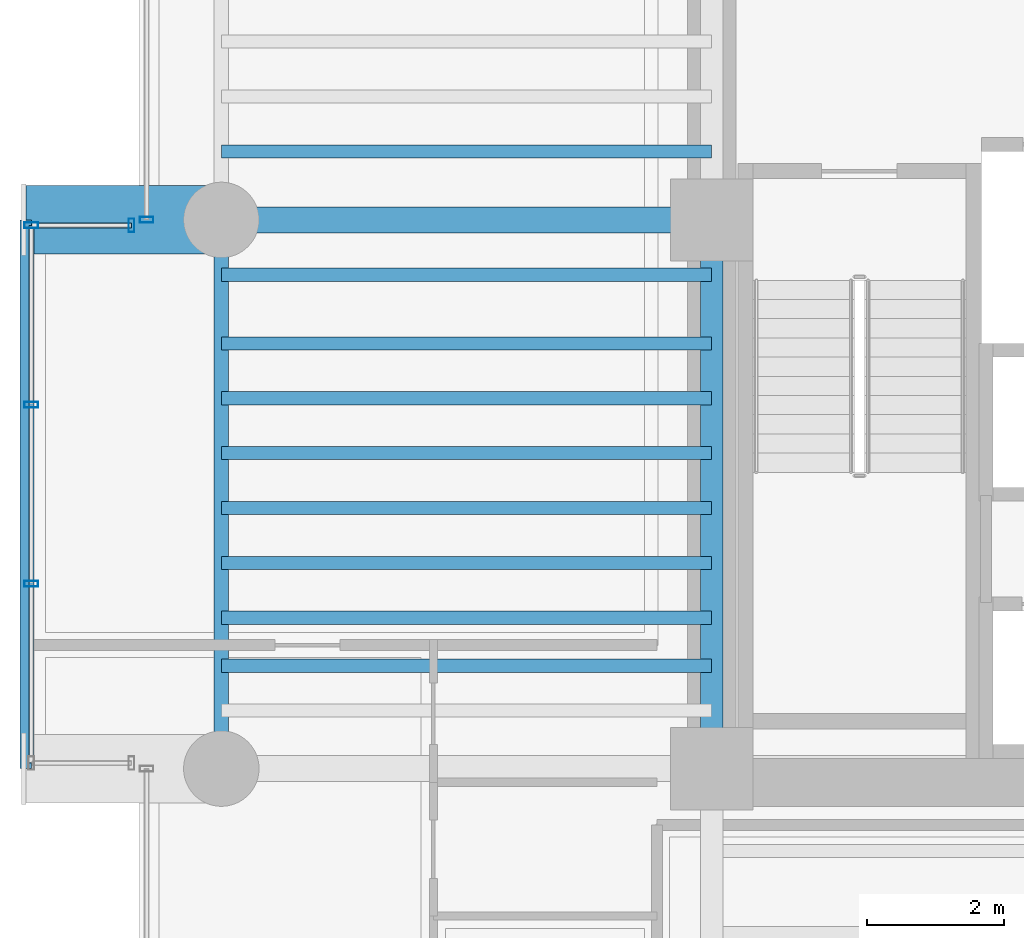
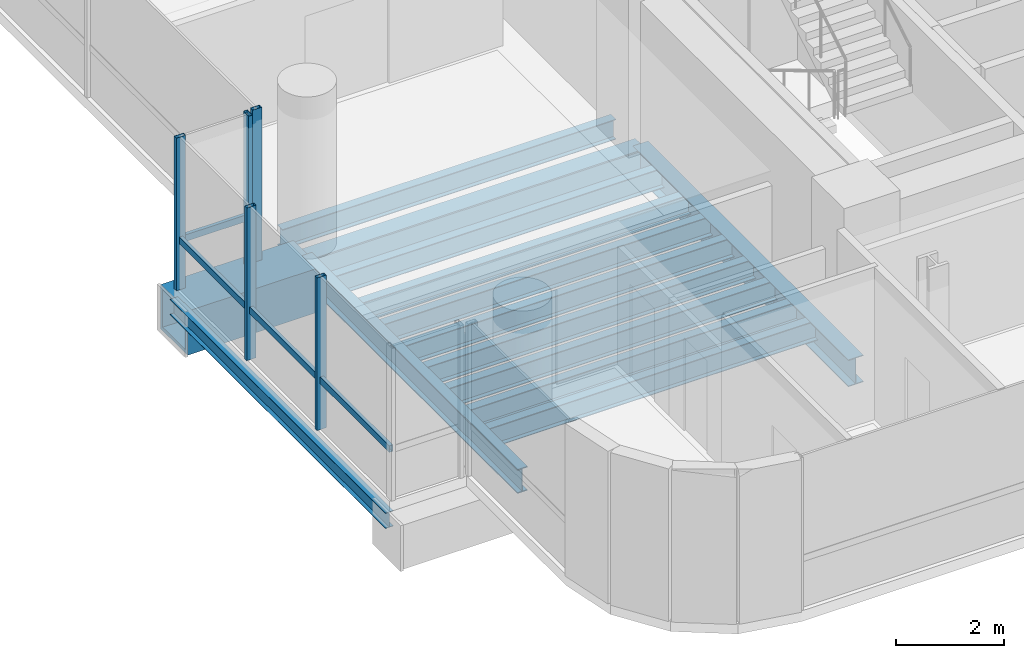
# One storey, part 4 of 37: 14 beams, 7 members, 3 elements without a shape of their own.
"""IFC4 building model written with IfcOpenShell, lengths in metres."""

from ifc_helpers import new_model, si_unit, direction, frame, origin, origin_2d, place, context, subcontext, project, spatial, hollow_rectangle, i_section, extrude, source, transform, mapped, material, material_profile, profile_set, type_object, element, aggregate, save


model = new_model("IFC4")

# Units and contexts
model_context = context("Model", 3, precision=1e-05, world=origin(), true_north=direction((0.0, 1.0)))
body_context = subcontext(model_context, "Body", "Model", "MODEL_VIEW")
ifc_project = project(units=[si_unit("LENGTHUNIT", "METRE"), si_unit("AREAUNIT", "SQUARE_METRE"), si_unit("VOLUMEUNIT", "CUBIC_METRE"), si_unit("PLANEANGLEUNIT", "RADIAN"), si_unit("MASSUNIT", "GRAM", prefix="KILO")], contexts=[model_context])

# Site, building, storey
site_placement = place(None, origin())
site = spatial("IfcSite", under=ifc_project, at=site_placement, CompositionType="ELEMENT")
building_placement = place(site_placement, origin())
building = spatial("IfcBuilding", under=site, at=building_placement, Name="Valdorenza Pilgrim Sanctuary Tower", CompositionType="ELEMENT")
storey_placement = place(building_placement, frame((0.0, 0.0, 127.89990234375)))
storey = spatial("IfcBuildingStorey", under=building, at=storey_placement, Name="L32", CompositionType="ELEMENT", Elevation=127.89990234375)

# Beams
ifc_material_1 = material(Name="Steel ASTM A992 Grade 50", Category="steel")
ifc_material_profile_1 = material_profile(ifc_material_1, i_section(OverallWidth=0.214111328125, OverallDepth=0.549072265625, WebThickness=0.0146484375, FlangeThickness=0.023681640625, at=origin_2d()), Name="W21X93")
ifc_profile_set_1 = profile_set([ifc_material_profile_1], Name="Steel ASTM A992 Grade 50")
beam_type_1 = type_object("IfcBeamType", Name="STR-BM-SPN-W21A", PredefinedType="SPANDREL", material=ifc_profile_set_1)
shared_shape_1 = source(origin(), body_context, "Body", "SweptSolid", [
    extrude(i_section(OverallWidth=0.214111328125, OverallDepth=0.549072265625, WebThickness=0.0146484375, FlangeThickness=0.023681640625, at=origin_2d()), origin(), (0.0, 0.0, 1.0), 8.0),
])
beam_1_placement = place(storey_placement, frame((-29.800048828125, -10.60009765625, -0.514404296875), z_axis=(0.0, 1.0, 0.0), x_axis=(-1.0, 0.0, 0.0)))
element("IfcBeam", 1, at=beam_1_placement, inside=storey, type_object=beam_type_1, Name="L32 Spandrel Beam WA-W-S1M0", PredefinedType="SPANDREL", context=body_context, shape_type="MappedRepresentation", body=[
    mapped(shared_shape_1, transform((0.0, 0.0, 0.0), x_axis=(1.0, 0.0, 0.0), y_axis=(0.0, 1.0, 0.0), z_axis=(0.0, 0.0, 1.0), scale=1.0)),
])
ifc_material_profile_2 = material_profile(ifc_material_1, i_section(OverallWidth=0.323974609375, OverallDepth=0.611083984375, WebThickness=0.0126953125, FlangeThickness=0.01904296875, at=origin_2d()), Name="W24X104")
ifc_profile_set_2 = profile_set([ifc_material_profile_2], Name="Steel ASTM A992 Grade 50")
beam_type_2 = type_object("IfcBeamType", Name="STR-BM-GRD-W24B", PredefinedType="BEAM", material=ifc_profile_set_2)
shared_shape_2 = source(origin(), body_context, "Body", "SweptSolid", [
    extrude(i_section(OverallWidth=0.323974609375, OverallDepth=0.611083984375, WebThickness=0.0126953125, FlangeThickness=0.01904296875, at=origin_2d()), origin(), (0.0, 0.0, 1.0), 8.0),
])
beam_2_placement = place(storey_placement, frame((-22.64990234375, -10.60009765625, -0.54541015625), z_axis=(0.0, 1.0, 0.0), x_axis=(-1.0, 0.0, 0.0)))
element("IfcBeam", 2, at=beam_2_placement, inside=storey, type_object=beam_type_2, Name="L32 Core Tie Girder CA-W-S1M0", PredefinedType="BEAM", context=body_context, shape_type="MappedRepresentation", body=[
    mapped(shared_shape_2, transform((0.0, 0.0, 0.0), x_axis=(1.0, 0.0, 0.0), y_axis=(0.0, 1.0, 0.0), z_axis=(0.0, 0.0, 1.0), scale=1.0)),
])
ifc_material_profile_3 = material_profile(ifc_material_1, i_section(OverallWidth=0.1708984375, OverallDepth=0.35107421875, WebThickness=0.0068359375, FlangeThickness=0.009765625, at=origin_2d()), Name="W14X30")
ifc_profile_set_3 = profile_set([ifc_material_profile_3], Name="Steel ASTM A992 Grade 50")
beam_type_3 = type_object("IfcBeamType", Name="STR-BM-BOX-W14", PredefinedType="BEAM", material=ifc_profile_set_3)
shared_shape_3 = source(origin(), body_context, "Body", "SweptSolid", [
    extrude(i_section(OverallWidth=0.1708984375, OverallDepth=0.35107421875, WebThickness=0.0068359375, FlangeThickness=0.009765625, at=origin_2d()), origin(), (0.0, 0.0, 1.0), 8.0),
])
beam_3_placement = place(storey_placement, frame((-32.64990234375, -10.60009765625, -0.415283203125), z_axis=(0.0, 1.0, 0.0), x_axis=(-1.0, 0.0, 0.0)))
element("IfcBeam", 3, at=beam_3_placement, inside=storey, type_object=beam_type_3, Name="L32 Glass Box Edge Beam BOX-WA-L32-F", PredefinedType="BEAM", context=body_context, shape_type="MappedRepresentation", body=[
    mapped(shared_shape_3, transform((0.0, 0.0, 0.0), x_axis=(1.0, 0.0, 0.0), y_axis=(0.0, 1.0, 0.0), z_axis=(0.0, 0.0, 1.0), scale=1.0)),
])
ifc_material_profile_4 = material_profile(ifc_material_1, i_section(OverallWidth=0.382080078125, OverallDepth=0.779052734375, WebThickness=0.01806640625, FlangeThickness=0.030029296875, at=origin_2d()), Name="W30X191")
ifc_profile_set_4 = profile_set([ifc_material_profile_4], Name="Steel ASTM A992 Grade 50")
beam_type_4 = type_object("IfcBeamType", Name="STR-BM-GRD-W30", PredefinedType="BEAM", material=ifc_profile_set_4)
shared_shape_4 = source(origin(), body_context, "Body", "SweptSolid", [
    extrude(i_section(OverallWidth=0.382080078125, OverallDepth=0.779052734375, WebThickness=0.01806640625, FlangeThickness=0.030029296875, at=origin_2d()), origin(), (0.0, 0.0, 1.0), 7.150146484375),
])
beam_4_placement = place(storey_placement, frame((-29.800048828125, -2.60009765625, -0.62939453125), z_axis=(1.0, 0.0, 0.0), x_axis=(0.0, 1.0, 0.0)))
element("IfcBeam", 4, at=beam_4_placement, inside=storey, type_object=beam_type_4, Name="L32 Floor Girder WA-XW-M0", PredefinedType="BEAM", context=body_context, shape_type="MappedRepresentation", body=[
    mapped(shared_shape_4, transform((0.0, 0.0, 0.0), x_axis=(1.0, 0.0, 0.0), y_axis=(0.0, 1.0, 0.0), z_axis=(0.0, 0.0, 1.0), scale=1.0)),
])
ifc_material_profile_5 = material_profile(ifc_material_1, i_section(OverallWidth=0.19091796875, OverallDepth=0.45703125, WebThickness=0.009033203125, FlangeThickness=0.014404296875, at=origin_2d()), Name="W18X50")
ifc_profile_set_5 = profile_set([ifc_material_profile_5], Name="Steel ASTM A992 Grade 50")
beam_type_5 = type_object("IfcBeamType", Name="STR-BM-JST-W18B", PredefinedType="JOIST", material=ifc_profile_set_5)
shared_shape_5 = source(origin(), body_context, "Body", "SweptSolid", [
    extrude(i_section(OverallWidth=0.19091796875, OverallDepth=0.45703125, WebThickness=0.009033203125, FlangeThickness=0.014404296875, at=origin_2d()), origin(), (0.0, 0.0, 1.0), 7.150146484375),
])
for number, where, z_axis, x_axis, name in (
    (5, (-29.800048828125, -9.10009765625, -0.468505859375), (1.0, 0.0, 0.0), (0.0, 1.0, 0.0), "L32 Composite Floor Joist JST-WA-2"),
    (6, (-29.800048828125, -8.39990234375, -0.468505859375), (1.0, 0.0, 0.0), (0.0, 1.0, 0.0), "L32 Composite Floor Joist JST-WA-3"),
    (7, (-29.800048828125, -7.60009765625, -0.468505859375), (1.0, 0.0, 0.0), (0.0, 1.0, 0.0), "L32 Composite Floor Joist JST-WA-4"),
    (8, (-29.800048828125, -6.800048828125, -0.468505859375), (1.0, 0.0, 0.0), (0.0, 1.0, 0.0), "L32 Composite Floor Joist JST-WA-5"),
    (9, (-29.800048828125, -6.0, -0.468505859375), (1.0, 0.0, 0.0), (0.0, 1.0, 0.0), "L32 Composite Floor Joist JST-WA-6"),
    (10, (-29.800048828125, -5.199951171875, -0.468505859375), (1.0, 0.0, 0.0), (0.0, 1.0, 0.0), "L32 Composite Floor Joist JST-WA-7"),
    (11, (-29.800048828125, -4.39990234375, -0.468505859375), (1.0, 0.0, 0.0), (0.0, 1.0, 0.0), "L32 Composite Floor Joist JST-WA-8"),
    (12, (-29.800048828125, -3.39990234375, -0.468505859375), (1.0, 0.0, 0.0), (0.0, 1.0, 0.0), "L32 Composite Floor Joist JST-WA-9"),
    (13, (-29.800048828125, -1.60009765625, -0.468505859375), (1.0, 0.0, 0.0), (0.0, 1.0, 0.0), "L32 Composite Floor Joist JST-WA-10"),
):
    element("IfcBeam", number, at=place(storey_placement, frame(where, z_axis=z_axis, x_axis=x_axis)), inside=storey, type_object=beam_type_5, Name=name, PredefinedType="JOIST", context=body_context, shape_type="MappedRepresentation", body=[
        mapped(shared_shape_5, transform((0.0, 0.0, 0.0), x_axis=(1.0, 0.0, 0.0), y_axis=(0.0, 1.0, 0.0), z_axis=(0.0, 0.0, 1.0), scale=1.0)),
    ])
ifc_material_2 = material(Name="Steel ASTM A572 Grade 42", Category="steel")
ifc_material_profile_6 = material_profile(ifc_material_2, hollow_rectangle(XDim=1.0, YDim=1.0, WallThickness=0.080078125, at=origin_2d()), Name="BOX 1000x1000x80")
ifc_profile_set_6 = profile_set([ifc_material_profile_6], Name="Steel ASTM A572 Grade 42")
beam_type_6 = type_object("IfcBeamType", Name="STR-BM-PROW-CANT", PredefinedType="BEAM", material=ifc_profile_set_6)
shared_shape_6 = source(origin(), body_context, "Body", "SweptSolid", [
    extrude(hollow_rectangle(XDim=1.0, YDim=1.0, WallThickness=0.080078125, at=origin_2d()), origin(), (0.0, 0.0, 1.0), 2.849853515625),
])
beam_5_placement = place(storey_placement, frame((-29.800048828125, -2.60009765625, -0.739990234375), z_axis=(-1.0, 0.0, 0.0), x_axis=(0.0, -1.0, 0.0)))
element("IfcBeam", 14, at=beam_5_placement, inside=storey, type_object=beam_type_6, Name="L32 Glass Box Cantilever Beam BOX-WA-L32-CT-N", PredefinedType="BEAM", context=body_context, shape_type="MappedRepresentation", body=[
    mapped(shared_shape_6, transform((0.0, 0.0, 0.0), x_axis=(1.0, 0.0, 0.0), y_axis=(0.0, 1.0, 0.0), z_axis=(0.0, 0.0, 1.0), scale=1.0)),
])

# Curtain wall, member
ifc_material_3 = material(Name="Curtain-wall IGU glazing", Category="glass")
curtain_wall_type = type_object("IfcCurtainWallType", Name="CW-SYS-02", PredefinedType="NOTDEFINED", material=ifc_material_3)
curtain_wall_1_placement = place(storey_placement, origin())
curtain_wall_1 = element("IfcCurtainWall", 15, at=curtain_wall_1_placement, inside=storey, type_object=curtain_wall_type, Name="L32 Curtain Wall CW-L32-BOX-WA-L32-N", PredefinedType="NOTDEFINED")
ifc_material_4 = material(Name="Anodised aluminium AW-6060", Category="aluminium")
ifc_material_profile_7 = material_profile(ifc_material_4, hollow_rectangle(XDim=0.074951171875, YDim=0.14990234375, WallThickness=0.00390625, at=origin_2d()), Name="ALU-T 150x75x4")
ifc_profile_set_7 = profile_set([ifc_material_profile_7], Name="Anodised aluminium AW-6060")
member_type_1 = type_object("IfcMemberType", Name="CW-TRN-02", PredefinedType="USERDEFINED", material=ifc_profile_set_7)
shared_shape_7 = source(origin(), body_context, "Body", "SweptSolid", [
    extrude(hollow_rectangle(XDim=0.074951171875, YDim=0.14990234375, WallThickness=0.00390625, at=origin_2d()), origin(), (0.0, 0.0, 1.0), 1.4599609375),
])
member_1_placement = place(storey_placement, frame((-32.570068359375, -2.679931640625, 1.1201171875), z_axis=(1.0, 0.0, 0.0), x_axis=(0.0, 1.0, 0.0)))
member_1 = element("IfcMember", 16, at=member_1_placement, type_object=member_type_1, Name="CW-L32-BOX-WA-L32-N Transom 1", ObjectType="TRANSOM", PredefinedType="USERDEFINED", context=body_context, shape_type="MappedRepresentation", body=[
    mapped(shared_shape_7, transform((0.0, 0.0, 0.0), x_axis=(1.0, 0.0, 0.0), y_axis=(0.0, 1.0, 0.0), z_axis=(0.0, 0.0, 1.0), scale=1.0)),
])

curtain_wall_2_placement = place(storey_placement, origin())
curtain_wall_2 = element("IfcCurtainWall", 17, at=curtain_wall_2_placement, inside=storey, type_object=curtain_wall_type, Name="L32 Curtain Wall CW-L32-BOX-WA-L32-F", PredefinedType="NOTDEFINED")
shared_shape_8 = source(origin(), body_context, "Body", "SweptSolid", [
    extrude(hollow_rectangle(XDim=0.074951171875, YDim=0.14990234375, WallThickness=0.00390625, at=origin_2d()), origin(), (0.0, 0.0, 1.0), 7.840087890625),
])
member_2_placement = place(storey_placement, frame((-32.570068359375, -10.52001953125, 1.1201171875), z_axis=(0.0, 1.0, 0.0), x_axis=(-1.0, 0.0, 0.0)))
member_2 = element("IfcMember", 18, at=member_2_placement, type_object=member_type_1, Name="CW-L32-BOX-WA-L32-F Transom 1", ObjectType="TRANSOM", PredefinedType="USERDEFINED", context=body_context, shape_type="MappedRepresentation", body=[
    mapped(shared_shape_8, transform((0.0, 0.0, 0.0), x_axis=(1.0, 0.0, 0.0), y_axis=(0.0, 1.0, 0.0), z_axis=(0.0, 0.0, 1.0), scale=1.0)),
])

curtain_wall_3_placement = place(storey_placement, origin())
curtain_wall_3 = element("IfcCurtainWall", 19, at=curtain_wall_3_placement, inside=storey, type_object=curtain_wall_type, Name="L32 Curtain Wall CW-L32-1-1S2", PredefinedType="NOTDEFINED")
ifc_material_profile_8 = material_profile(ifc_material_4, hollow_rectangle(XDim=0.0849609375, YDim=0.199951171875, WallThickness=0.0048828125, at=origin_2d()), Name="ALU-M 200x85x5")
ifc_profile_set_8 = profile_set([ifc_material_profile_8], Name="Anodised aluminium AW-6060")
member_type_2 = type_object("IfcMemberType", Name="CW-MUL-02", PredefinedType="MULLION", material=ifc_profile_set_8)
shared_shape_9 = source(origin(), body_context, "Body", "SweptSolid", [
    extrude(hollow_rectangle(XDim=0.0849609375, YDim=0.199951171875, WallThickness=0.0048828125, at=origin_2d()), origin(), (0.0, 0.0, 1.0), 3.460205078125),
])
member_3_placement = place(storey_placement, frame((-30.889892578125, -2.60009765625, 0.0), z_axis=(0.0, 0.0, 1.0), x_axis=(0.0, 1.0, 0.0)))
member_3 = element("IfcMember", 20, at=member_3_placement, type_object=member_type_2, Name="CW-L32-1-1S2 Mullion 1", PredefinedType="MULLION", context=body_context, shape_type="MappedRepresentation", body=[
    mapped(shared_shape_9, transform((0.0, 0.0, 0.0), x_axis=(1.0, 0.0, 0.0), y_axis=(0.0, 1.0, 0.0), z_axis=(0.0, 0.0, 1.0), scale=1.0)),
])
aggregate(curtain_wall_3, [member_3])

# Member
member_4_placement = place(storey_placement, frame((-32.570068359375, -7.90673828125, 0.0), z_axis=(0.0, 0.0, 1.0), x_axis=(0.0, 1.0, 0.0)))
member_4 = element("IfcMember", 21, at=member_4_placement, type_object=member_type_2, Name="CW-L32-BOX-WA-L32-F Mullion 2", PredefinedType="MULLION", context=body_context, shape_type="MappedRepresentation", body=[
    mapped(shared_shape_9, transform((0.0, 0.0, 0.0), x_axis=(1.0, 0.0, 0.0), y_axis=(0.0, 1.0, 0.0), z_axis=(0.0, 0.0, 1.0), scale=1.0)),
])

member_5_placement = place(storey_placement, frame((-32.570068359375, -5.293212890625, 0.0), z_axis=(0.0, 0.0, 1.0), x_axis=(0.0, 1.0, 0.0)))
member_5 = element("IfcMember", 22, at=member_5_placement, type_object=member_type_2, Name="CW-L32-BOX-WA-L32-F Mullion 3", PredefinedType="MULLION", context=body_context, shape_type="MappedRepresentation", body=[
    mapped(shared_shape_9, transform((0.0, 0.0, 0.0), x_axis=(1.0, 0.0, 0.0), y_axis=(0.0, 1.0, 0.0), z_axis=(0.0, 0.0, 1.0), scale=1.0)),
])

member_6_placement = place(storey_placement, frame((-32.570068359375, -2.679931640625, 0.0), z_axis=(0.0, 0.0, 1.0), x_axis=(0.0, 1.0, 0.0)))
member_6 = element("IfcMember", 23, at=member_6_placement, type_object=member_type_2, Name="CW-L32-BOX-WA-L32-F Mullion 4", PredefinedType="MULLION", context=body_context, shape_type="MappedRepresentation", body=[
    mapped(shared_shape_9, transform((0.0, 0.0, 0.0), x_axis=(1.0, 0.0, 0.0), y_axis=(0.0, 1.0, 0.0), z_axis=(0.0, 0.0, 1.0), scale=1.0)),
])

aggregate(curtain_wall_2, [member_4, member_5, member_6, member_2])

member_7_placement = place(storey_placement, frame((-31.110107421875, -2.679931640625, 0.0), z_axis=(0.0, 0.0, 1.0), x_axis=(1.0, 0.0, 0.0)))
member_7 = element("IfcMember", 24, at=member_7_placement, type_object=member_type_2, Name="CW-L32-BOX-WA-L32-N Mullion 2", PredefinedType="MULLION", context=body_context, shape_type="MappedRepresentation", body=[
    mapped(shared_shape_9, transform((0.0, 0.0, 0.0), x_axis=(1.0, 0.0, 0.0), y_axis=(0.0, 1.0, 0.0), z_axis=(0.0, 0.0, 1.0), scale=1.0)),
])

aggregate(curtain_wall_1, [member_7, member_1])

save(model, "model.ifc")
